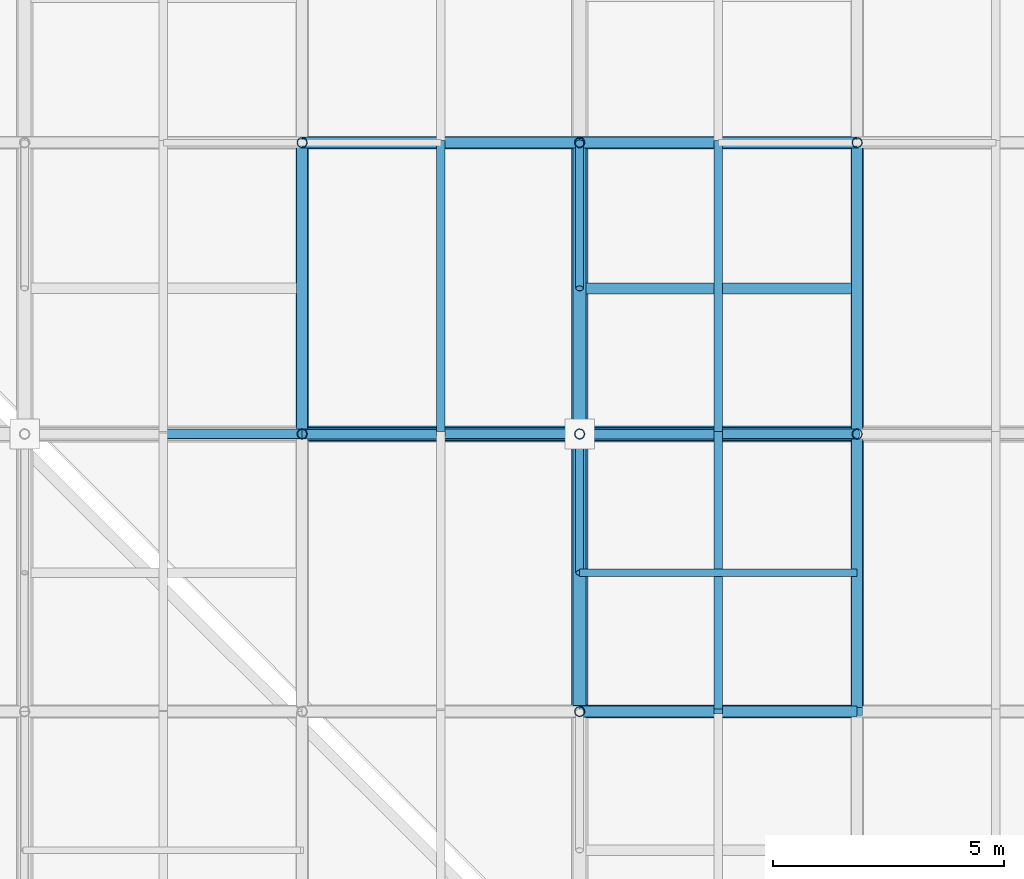
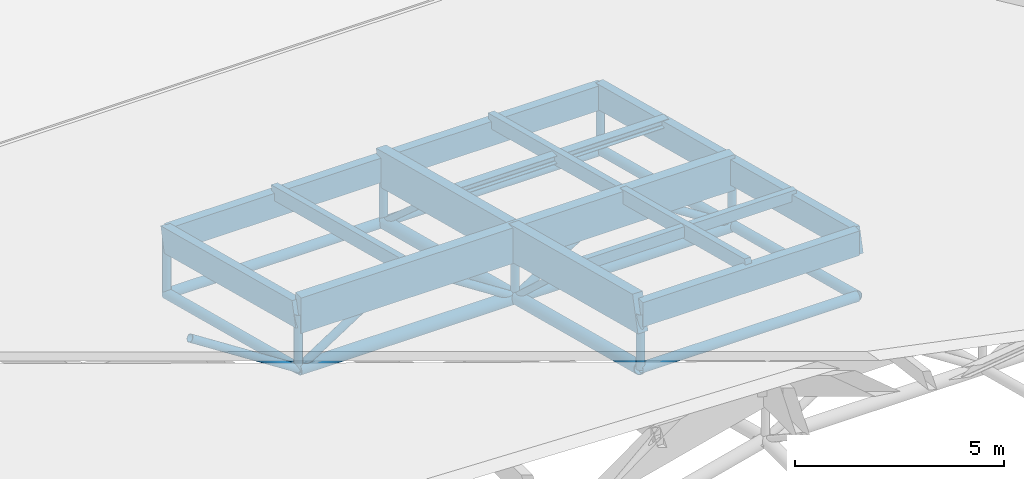
# One storey, part 50 of 80: 39 members.
"""IFC4 building model written with IfcOpenShell, lengths in metres."""

from ifc_helpers import new_model, si_unit, direction, frame, origin, origin_2d, place, context, subcontext, project, spatial, rectangle, hollow_circle, i_section, extrude, material, material_profile, profile_set, type_object, element, save


model = new_model("IFC4")

# Units and contexts
model_context = context("Model", 3, precision=1e-05, world=origin(), true_north=direction((0.0, 1.0)))
body_context = subcontext(model_context, "Body", "Model", "MODEL_VIEW")
ifc_project = project(units=[si_unit("LENGTHUNIT", "METRE"), si_unit("AREAUNIT", "SQUARE_METRE"), si_unit("VOLUMEUNIT", "CUBIC_METRE"), si_unit("PLANEANGLEUNIT", "RADIAN"), si_unit("MASSUNIT", "GRAM", prefix="KILO"), si_unit("THERMODYNAMICTEMPERATUREUNIT", "KELVIN"), si_unit("POWERUNIT", "WATT")], contexts=[model_context])

# Site, building, storey
site_placement = place(None, origin())
site = spatial("IfcSite", under=ifc_project, at=site_placement, CompositionType="ELEMENT")
building_placement = place(site_placement, origin())
building = spatial("IfcBuilding", under=site, at=building_placement, Name="Solmara Park Aquatics Centre", CompositionType="ELEMENT")
storey_placement = place(building_placement, frame((0.0, 0.0, 22.800048828125)))
storey = spatial("IfcBuildingStorey", under=building, at=storey_placement, Name="RF", CompositionType="ELEMENT", Elevation=22.800048828125)

# Members
ifc_material_1 = material(Name="Structural Steel S355", Category="steel")
ifc_material_profile_1 = material_profile(ifc_material_1, hollow_circle(Radius=0.084228515625, WallThickness=0.008056640625, at=origin_2d()), Name="CHS 168.3x8")
ifc_profile_set_1 = profile_set([ifc_material_profile_1], Name="Structural Steel S355")
member_type_1 = type_object("IfcMemberType", Name="STR-BRC-CHS168", PredefinedType="BRACE", material=ifc_profile_set_1)
member_1_placement = place(storey_placement, frame((24.60009765625, 72.60009765625, -11.141357421875), z_axis=(0.0, -0.736467121275, 0.676473339667), x_axis=(1.0, 0.0, 0.0)))
element("IfcMember", 1, at=member_1_placement, inside=storey, type_object=member_type_1, Name="Roof Truss Web Diagonal Y 2121", PredefinedType="BRACE", context=body_context, shape_type="SweptSolid", body=[
    extrude(hollow_circle(Radius=0.084228515625, WallThickness=0.008056640625, at=origin_2d()), origin(), (0.0, 0.0, 1.0), 4.073486328125),
])
member_2_placement = place(storey_placement, frame((24.60009765625, 78.89990234375, -12.770751953125), z_axis=(0.0, -0.748026356938, 0.663669020917), x_axis=(1.0, 0.0, 0.0)))
element("IfcMember", 2, at=member_2_placement, inside=storey, type_object=member_type_1, Name="Roof Truss Web Diagonal Y 2143", PredefinedType="BRACE", context=body_context, shape_type="SweptSolid", body=[
    extrude(hollow_circle(Radius=0.084228515625, WallThickness=0.008056640625, at=origin_2d()), origin(), (0.0, 0.0, 1.0), 4.2109375),
])
ifc_material_profile_2 = material_profile(ifc_material_1, hollow_circle(Radius=0.109619140625, WallThickness=0.010009765625, at=origin_2d()), Name="CHS 219.1x10")
ifc_profile_set_2 = profile_set([ifc_material_profile_2], Name="Structural Steel S355")
member_type_2 = type_object("IfcMemberType", Name="STR-BRC-CHS219", PredefinedType="BRACE", material=ifc_profile_set_2)
for number, where, z_axis, x_axis, name in (
    (3, (18.60009765625, 72.60009765625, -11.141357421875), (-0.83972779743, 0.0, 0.543007574738), (0.0, -1.0, 0.0), "Roof Truss Web Diagonal X 1418"),
    (4, (18.60009765625, 72.60009765625, -11.141357421875), (0.83972779743, 0.0, 0.543007574738), (0.0, 1.0, 0.0), "Roof Truss Web Diagonal X 1443"),
    (5, (24.60009765625, 72.60009765625, -11.141357421875), (-0.83972779743, 0.0, 0.543007574738), (0.0, -1.0, 0.0), "Roof Truss Web Diagonal X 1444"),
    (6, (24.60009765625, 72.60009765625, -11.141357421875), (0.83972779743, 0.0, 0.543007574738), (0.0, 1.0, 0.0), "Roof Truss Web Diagonal X 1471"),
    (7, (30.60009765625, 72.60009765625, -11.141357421875), (-0.83972779743, 0.0, 0.543007574738), (0.0, -1.0, 0.0), "Roof Truss Web Diagonal X 1472"),
):
    element("IfcMember", number, at=place(storey_placement, frame(where, z_axis=z_axis, x_axis=x_axis)), inside=storey, type_object=member_type_2, Name=name, PredefinedType="BRACE", context=body_context, shape_type="SweptSolid", body=[
        extrude(hollow_circle(Radius=0.109619140625, WallThickness=0.010009765625, at=origin_2d()), origin(), (0.0, 0.0, 1.0), 3.572509765625),
    ])
ifc_material_profile_3 = material_profile(ifc_material_1, hollow_circle(Radius=0.136474609375, WallThickness=0.012451171875, at=origin_2d()), Name="CHS 273x12.5")
ifc_profile_set_3 = profile_set([ifc_material_profile_3], Name="Structural Steel S355")
member_type_3 = type_object("IfcMemberType", Name="STR-CHD-CHS273", PredefinedType="CHORD", material=ifc_profile_set_3)
for number, where, z_axis, x_axis, name in (
    (8, (24.60009765625, 66.60009765625, -9.58984375), (1.0, 0.0, 0.0), (0.0, 1.0, 0.0), "Steel Roof Truss Bottom Chord X 0406"),
    (9, (18.60009765625, 78.89990234375, -12.770751953125), (1.0, 0.0, 0.0), (0.0, 1.0, 0.0), "Steel Roof Truss Bottom Chord X 0476"),
    (10, (24.60009765625, 78.89990234375, -12.770751953125), (1.0, 0.0, 0.0), (0.0, 1.0, 0.0), "Steel Roof Truss Bottom Chord X 0478"),
):
    element("IfcMember", number, at=place(storey_placement, frame(where, z_axis=z_axis, x_axis=x_axis)), inside=storey, type_object=member_type_3, Name=name, PredefinedType="CHORD", context=body_context, shape_type="SweptSolid", body=[
        extrude(hollow_circle(Radius=0.136474609375, WallThickness=0.012451171875, at=origin_2d()), origin(), (0.0, 0.0, 1.0), 6.0),
    ])
member_3_placement = place(storey_placement, frame((18.60009765625, 72.60009765625, -11.141357421875), z_axis=(0.0, 0.968141893543, -0.250402224365), x_axis=(-1.0, 0.0, 0.0)))
element("IfcMember", 11, at=member_3_placement, inside=storey, type_object=member_type_3, Name="Steel Roof Truss Bottom Chord Y 0650", PredefinedType="CHORD", context=body_context, shape_type="SweptSolid", body=[
    extrude(hollow_circle(Radius=0.136474609375, WallThickness=0.012451171875, at=origin_2d()), origin(), (0.0, 0.0, 1.0), 6.507080078125),
])
member_4_placement = place(storey_placement, frame((30.60009765625, 66.60009765625, -9.58984375), z_axis=(0.0, 0.968155143395, -0.250350990246), x_axis=(-1.0, 0.0, 0.0)))
element("IfcMember", 12, at=member_4_placement, inside=storey, type_object=member_type_3, Name="Steel Roof Truss Bottom Chord Y 0704", PredefinedType="CHORD", context=body_context, shape_type="SweptSolid", body=[
    extrude(hollow_circle(Radius=0.136474609375, WallThickness=0.012451171875, at=origin_2d()), origin(), (0.0, 0.0, 1.0), 6.197265625),
])
member_5_placement = place(storey_placement, frame((30.60009765625, 72.60009765625, -11.141357421875), z_axis=(0.0, 0.968141893543, -0.250402224365), x_axis=(-1.0, 0.0, 0.0)))
element("IfcMember", 13, at=member_5_placement, inside=storey, type_object=member_type_3, Name="Steel Roof Truss Bottom Chord Y 0706", PredefinedType="CHORD", context=body_context, shape_type="SweptSolid", body=[
    extrude(hollow_circle(Radius=0.136474609375, WallThickness=0.012451171875, at=origin_2d()), origin(), (0.0, 0.0, 1.0), 6.507080078125),
])
ifc_material_profile_4 = material_profile(ifc_material_1, hollow_circle(Radius=0.177734375, WallThickness=0.01611328125, at=origin_2d()), Name="CHS 355.6x16")
ifc_profile_set_4 = profile_set([ifc_material_profile_4], Name="Structural Steel S355")
member_type_4 = type_object("IfcMemberType", Name="STR-CHD-CHS355", PredefinedType="CHORD", material=ifc_profile_set_4)
for number, where, z_axis, x_axis, name in (
    (14, (18.60009765625, 72.60009765625, -11.141357421875), (1.0, 0.0, 0.0), (0.0, 1.0, 0.0), "Steel Roof Truss Bottom Chord X 0440"),
    (15, (24.60009765625, 72.60009765625, -11.141357421875), (1.0, 0.0, 0.0), (0.0, 1.0, 0.0), "Steel Roof Truss Bottom Chord X 0442"),
):
    element("IfcMember", number, at=place(storey_placement, frame(where, z_axis=z_axis, x_axis=x_axis)), inside=storey, type_object=member_type_4, Name=name, PredefinedType="CHORD", context=body_context, shape_type="SweptSolid", body=[
        extrude(hollow_circle(Radius=0.177734375, WallThickness=0.01611328125, at=origin_2d()), origin(), (0.0, 0.0, 1.0), 6.0),
    ])
member_6_placement = place(storey_placement, frame((24.60009765625, 66.60009765625, -9.58984375), z_axis=(0.0, 0.968155143395, -0.250350990246), x_axis=(-1.0, 0.0, 0.0)))
element("IfcMember", 16, at=member_6_placement, inside=storey, type_object=member_type_4, Name="Steel Roof Truss Bottom Chord Y 0676", PredefinedType="CHORD", context=body_context, shape_type="SweptSolid", body=[
    extrude(hollow_circle(Radius=0.177734375, WallThickness=0.01611328125, at=origin_2d()), origin(), (0.0, 0.0, 1.0), 6.197265625),
])
member_7_placement = place(storey_placement, frame((24.60009765625, 72.60009765625, -11.141357421875), z_axis=(0.0, 0.968141893543, -0.250402224365), x_axis=(-1.0, 0.0, 0.0)))
element("IfcMember", 17, at=member_7_placement, inside=storey, type_object=member_type_4, Name="Steel Roof Truss Bottom Chord Y 0678", PredefinedType="CHORD", context=body_context, shape_type="SweptSolid", body=[
    extrude(hollow_circle(Radius=0.177734375, WallThickness=0.01611328125, at=origin_2d()), origin(), (0.0, 0.0, 1.0), 6.507080078125),
])
ifc_material_2 = material(Name="Glulam Timber GL28h", Category="wood")
ifc_material_profile_5 = material_profile(ifc_material_2, rectangle(XDim=0.239990234375, YDim=0.719970703125, at=origin_2d()), Name="GL28h 240x720")
ifc_profile_set_5 = profile_set([ifc_material_profile_5], Name="Glulam Timber GL28h")
member_type_5 = type_object("IfcMemberType", Name="STR-CHD-GL240x720", PredefinedType="CHORD", material=ifc_profile_set_5)
for number, where, z_axis, x_axis, name in (
    (18, (24.60009765625, 66.60009765625, -7.9697265625), (1.0, 0.0, 0.0), (0.0, 1.0, 0.0), "Glulam Roof Truss Top Chord X 0405"),
    (19, (18.60009765625, 78.89990234375, -11.150634765625), (1.0, 0.0, 0.0), (0.0, 1.0, 0.0), "Glulam Roof Truss Top Chord X 0475"),
    (20, (24.60009765625, 78.89990234375, -11.150634765625), (1.0, 0.0, 0.0), (0.0, 1.0, 0.0), "Glulam Roof Truss Top Chord X 0477"),
):
    element("IfcMember", number, at=place(storey_placement, frame(where, z_axis=z_axis, x_axis=x_axis)), inside=storey, type_object=member_type_5, Name=name, PredefinedType="CHORD", context=body_context, shape_type="SweptSolid", body=[
        extrude(rectangle(XDim=0.239990234375, YDim=0.719970703125, at=origin_2d()), origin(), (0.0, 0.0, 1.0), 6.0),
    ])
member_8_placement = place(storey_placement, frame((18.60009765625, 72.60009765625, -9.521484375), z_axis=(0.0, 0.968150988544, -0.250367057299), x_axis=(-1.0, 0.0, 0.0)))
element("IfcMember", 21, at=member_8_placement, inside=storey, type_object=member_type_5, Name="Glulam Roof Truss Top Chord Y 0649", PredefinedType="CHORD", context=body_context, shape_type="SweptSolid", body=[
    extrude(rectangle(XDim=0.239990234375, YDim=0.719970703125, at=origin_2d()), origin(), (0.0, 0.0, 1.0), 6.507080078125),
])
member_9_placement = place(storey_placement, frame((30.60009765625, 66.60009765625, -7.9697265625), z_axis=(0.0, 0.968145594442, -0.250387914969), x_axis=(-1.0, 0.0, 0.0)))
element("IfcMember", 22, at=member_9_placement, inside=storey, type_object=member_type_5, Name="Glulam Roof Truss Top Chord Y 0703", PredefinedType="CHORD", context=body_context, shape_type="SweptSolid", body=[
    extrude(rectangle(XDim=0.239990234375, YDim=0.719970703125, at=origin_2d()), origin(), (0.0, 0.0, 1.0), 6.197509765625),
])
member_10_placement = place(storey_placement, frame((30.60009765625, 72.60009765625, -9.521484375), z_axis=(0.0, 0.968150988544, -0.250367057299), x_axis=(-1.0, 0.0, 0.0)))
element("IfcMember", 23, at=member_10_placement, inside=storey, type_object=member_type_5, Name="Glulam Roof Truss Top Chord Y 0705", PredefinedType="CHORD", context=body_context, shape_type="SweptSolid", body=[
    extrude(rectangle(XDim=0.239990234375, YDim=0.719970703125, at=origin_2d()), origin(), (0.0, 0.0, 1.0), 6.507080078125),
])
ifc_material_profile_6 = material_profile(ifc_material_2, rectangle(XDim=0.280029296875, YDim=1.0400390625, at=origin_2d()), Name="GL28h 280x1040")
ifc_profile_set_6 = profile_set([ifc_material_profile_6], Name="Glulam Timber GL28h")
member_type_6 = type_object("IfcMemberType", Name="STR-CHD-GL280x1040", PredefinedType="CHORD", material=ifc_profile_set_6)
for number, where, z_axis, x_axis, name in (
    (24, (18.60009765625, 72.60009765625, -9.521484375), (1.0, 0.0, 0.0), (0.0, 1.0, 0.0), "Glulam Roof Truss Top Chord X 0439"),
    (25, (24.60009765625, 72.60009765625, -9.521484375), (1.0, 0.0, 0.0), (0.0, 1.0, 0.0), "Glulam Roof Truss Top Chord X 0441"),
):
    element("IfcMember", number, at=place(storey_placement, frame(where, z_axis=z_axis, x_axis=x_axis)), inside=storey, type_object=member_type_6, Name=name, PredefinedType="CHORD", context=body_context, shape_type="SweptSolid", body=[
        extrude(rectangle(XDim=0.280029296875, YDim=1.0400390625, at=origin_2d()), origin(), (0.0, 0.0, 1.0), 6.0),
    ])
member_11_placement = place(storey_placement, frame((24.60009765625, 66.60009765625, -7.9697265625), z_axis=(0.0, 0.968145594442, -0.250387914969), x_axis=(-1.0, 0.0, 0.0)))
element("IfcMember", 26, at=member_11_placement, inside=storey, type_object=member_type_6, Name="Glulam Roof Truss Top Chord Y 0675", PredefinedType="CHORD", context=body_context, shape_type="SweptSolid", body=[
    extrude(rectangle(XDim=0.280029296875, YDim=1.0400390625, at=origin_2d()), origin(), (0.0, 0.0, 1.0), 6.197509765625),
])
member_12_placement = place(storey_placement, frame((24.60009765625, 72.60009765625, -9.521484375), z_axis=(0.0, 0.968150988544, -0.250367057299), x_axis=(-1.0, 0.0, 0.0)))
element("IfcMember", 27, at=member_12_placement, inside=storey, type_object=member_type_6, Name="Glulam Roof Truss Top Chord Y 0677", PredefinedType="CHORD", context=body_context, shape_type="SweptSolid", body=[
    extrude(rectangle(XDim=0.280029296875, YDim=1.0400390625, at=origin_2d()), origin(), (0.0, 0.0, 1.0), 6.507080078125),
])
ifc_material_profile_7 = material_profile(ifc_material_2, rectangle(XDim=0.159912109375, YDim=0.320068359375, at=origin_2d()), Name="GL28h 160x320")
ifc_profile_set_7 = profile_set([ifc_material_profile_7], Name="Glulam Timber GL28h")
member_type_7 = type_object("IfcMemberType", Name="STR-PRL-GL160x320", PredefinedType="PURLIN", material=ifc_profile_set_7)
member_13_placement = place(storey_placement, frame((24.60009765625, 69.60009765625, -8.40576171875), z_axis=(1.0, 0.0, 0.0), x_axis=(0.0, 1.0, 0.0)))
element("IfcMember", 28, at=member_13_placement, inside=storey, type_object=member_type_7, Name="Glulam Secondary Roof Purlin 2110", PredefinedType="PURLIN", context=body_context, shape_type="SweptSolid", body=[
    extrude(rectangle(XDim=0.159912109375, YDim=0.320068359375, at=origin_2d()), origin(), (0.0, 0.0, 1.0), 6.0),
])
ifc_material_profile_8 = material_profile(ifc_material_2, rectangle(XDim=0.179931640625, YDim=0.39990234375, at=origin_2d()), Name="GL28h 180x400")
ifc_profile_set_8 = profile_set([ifc_material_profile_8], Name="Glulam Timber GL28h")
member_type_8 = type_object("IfcMemberType", Name="STR-PRL-GL180x400", PredefinedType="PURLIN", material=ifc_profile_set_8)
member_14_placement = place(storey_placement, frame((21.60009765625, 72.60009765625, -9.201416015625), z_axis=(0.0, 0.968141893543, -0.250402224365), x_axis=(-1.0, 0.0, 0.0)))
element("IfcMember", 29, at=member_14_placement, inside=storey, type_object=member_type_8, Name="Glulam Roof Purlin 1433", PredefinedType="PURLIN", context=body_context, shape_type="SweptSolid", body=[
    extrude(rectangle(XDim=0.179931640625, YDim=0.39990234375, at=origin_2d()), origin(), (0.0, 0.0, 1.0), 6.507080078125),
])
member_15_placement = place(storey_placement, frame((27.60009765625, 66.60009765625, -7.649658203125), z_axis=(0.0, 0.968145594442, -0.250387914969), x_axis=(-1.0, 0.0, 0.0)))
element("IfcMember", 30, at=member_15_placement, inside=storey, type_object=member_type_8, Name="Glulam Roof Purlin 1458", PredefinedType="PURLIN", context=body_context, shape_type="SweptSolid", body=[
    extrude(rectangle(XDim=0.179931640625, YDim=0.39990234375, at=origin_2d()), origin(), (0.0, 0.0, 1.0), 6.197509765625),
])
member_16_placement = place(storey_placement, frame((27.60009765625, 72.60009765625, -9.201416015625), z_axis=(0.0, 0.968141893543, -0.250402224365), x_axis=(-1.0, 0.0, 0.0)))
element("IfcMember", 31, at=member_16_placement, inside=storey, type_object=member_type_8, Name="Glulam Roof Purlin 1459", PredefinedType="PURLIN", context=body_context, shape_type="SweptSolid", body=[
    extrude(rectangle(XDim=0.179931640625, YDim=0.39990234375, at=origin_2d()), origin(), (0.0, 0.0, 1.0), 6.507080078125),
])
ifc_material_profile_9 = material_profile(ifc_material_1, i_section(OverallWidth=0.239990234375, OverallDepth=0.22998046875, WebThickness=0.007568359375, FlangeThickness=0.011962890625, FilletRadius=0.02099609375, at=origin_2d()), Name="HEA 240")
ifc_profile_set_9 = profile_set([ifc_material_profile_9], Name="Structural Steel S355")
member_type_9 = type_object("IfcMemberType", Name="STR-PRL-HEA240", PredefinedType="PURLIN", material=ifc_profile_set_9)
member_17_placement = place(storey_placement, frame((24.60009765625, 75.75, -9.99609375), z_axis=(1.0, 0.0, 0.0), x_axis=(0.0, 1.0, 0.0)))
element("IfcMember", 32, at=member_17_placement, inside=storey, type_object=member_type_9, Name="Glulam Secondary Roof Purlin 2133", PredefinedType="PURLIN", context=body_context, shape_type="SweptSolid", body=[
    extrude(i_section(OverallWidth=0.239990234375, OverallDepth=0.22998046875, WebThickness=0.007568359375, FlangeThickness=0.011962890625, FilletRadius=0.02099609375, at=origin_2d()), origin(), (0.0, 0.0, 1.0), 6.0),
])
ifc_material_profile_10 = material_profile(ifc_material_1, hollow_circle(Radius=0.109619140625, WallThickness=0.010009765625, at=origin_2d()), Name="CHS 219.1x10")
ifc_profile_set_10 = profile_set([ifc_material_profile_10], Name="Structural Steel S355")
member_type_10 = type_object("IfcMemberType", Name="STR-PST-CHS219", PredefinedType="POST", material=ifc_profile_set_10)
member_18_placement = place(storey_placement, frame((18.60009765625, 72.60009765625, -11.141357421875), z_axis=(0.0, 0.0, 1.0), x_axis=(1.0, 0.0, 0.0)))
element("IfcMember", 33, at=member_18_placement, inside=storey, type_object=member_type_10, Name="Roof Truss Web Post 1126", PredefinedType="POST", context=body_context, shape_type="SweptSolid", body=[
    extrude(hollow_circle(Radius=0.109619140625, WallThickness=0.010009765625, at=origin_2d()), origin(), (0.0, 0.0, 1.0), 1.619873046875),
])
for number, where, z_axis, x_axis, name in (
    (34, (18.60009765625, 78.89990234375, -12.770751953125), (0.0, 0.0, 1.0), (1.0, 0.0, 0.0), "Roof Truss Web Post 1127"),
    (35, (24.60009765625, 66.60009765625, -9.58984375), (0.0, 0.0, 1.0), (1.0, 0.0, 0.0), "Roof Truss Web Post 1139"),
):
    element("IfcMember", number, at=place(storey_placement, frame(where, z_axis=z_axis, x_axis=x_axis)), inside=storey, type_object=member_type_10, Name=name, PredefinedType="POST", context=body_context, shape_type="SweptSolid", body=[
        extrude(hollow_circle(Radius=0.109619140625, WallThickness=0.010009765625, at=origin_2d()), origin(), (0.0, 0.0, 1.0), 1.6201171875),
    ])
member_19_placement = place(storey_placement, frame((24.60009765625, 72.60009765625, -11.141357421875), z_axis=(0.0, 0.0, 1.0), x_axis=(1.0, 0.0, 0.0)))
element("IfcMember", 36, at=member_19_placement, inside=storey, type_object=member_type_10, Name="Roof Truss Web Post 1140", PredefinedType="POST", context=body_context, shape_type="SweptSolid", body=[
    extrude(hollow_circle(Radius=0.109619140625, WallThickness=0.010009765625, at=origin_2d()), origin(), (0.0, 0.0, 1.0), 1.619873046875),
])
member_20_placement = place(storey_placement, frame((24.60009765625, 78.89990234375, -12.770751953125), z_axis=(0.0, 0.0, 1.0), x_axis=(1.0, 0.0, 0.0)))
element("IfcMember", 37, at=member_20_placement, inside=storey, type_object=member_type_10, Name="Roof Truss Web Post 1141", PredefinedType="POST", context=body_context, shape_type="SweptSolid", body=[
    extrude(hollow_circle(Radius=0.109619140625, WallThickness=0.010009765625, at=origin_2d()), origin(), (0.0, 0.0, 1.0), 1.6201171875),
])
member_21_placement = place(storey_placement, frame((30.60009765625, 72.60009765625, -11.141357421875), z_axis=(0.0, 0.0, 1.0), x_axis=(1.0, 0.0, 0.0)))
element("IfcMember", 38, at=member_21_placement, inside=storey, type_object=member_type_10, Name="Roof Truss Web Post 1153", PredefinedType="POST", context=body_context, shape_type="SweptSolid", body=[
    extrude(hollow_circle(Radius=0.109619140625, WallThickness=0.010009765625, at=origin_2d()), origin(), (0.0, 0.0, 1.0), 1.619873046875),
])
member_22_placement = place(storey_placement, frame((30.60009765625, 78.89990234375, -12.770751953125), z_axis=(0.0, 0.0, 1.0), x_axis=(1.0, 0.0, 0.0)))
element("IfcMember", 39, at=member_22_placement, inside=storey, type_object=member_type_10, Name="Roof Truss Web Post 1154", PredefinedType="POST", context=body_context, shape_type="SweptSolid", body=[
    extrude(hollow_circle(Radius=0.109619140625, WallThickness=0.010009765625, at=origin_2d()), origin(), (0.0, 0.0, 1.0), 1.6201171875),
])

save(model, "model.ifc")
